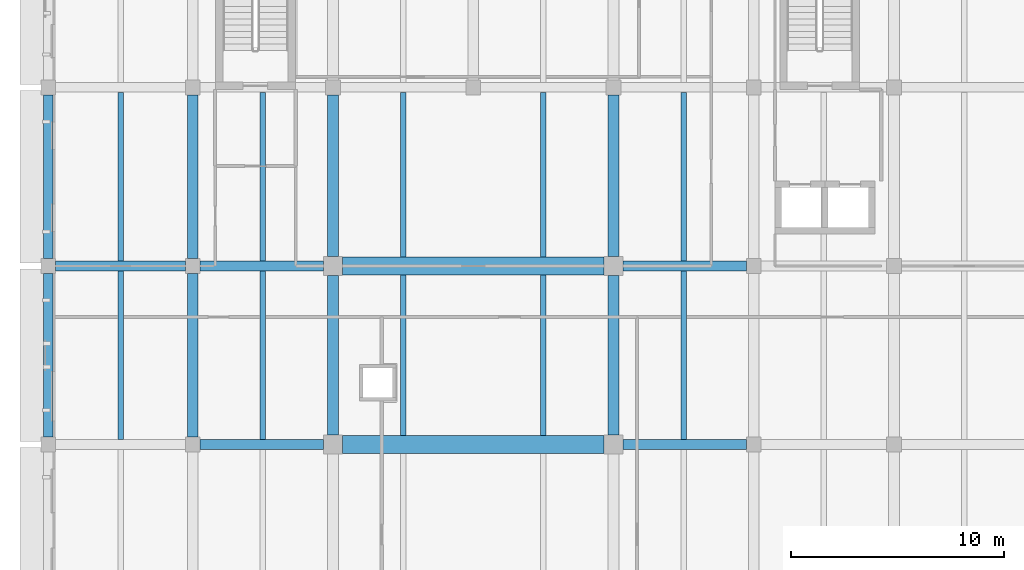
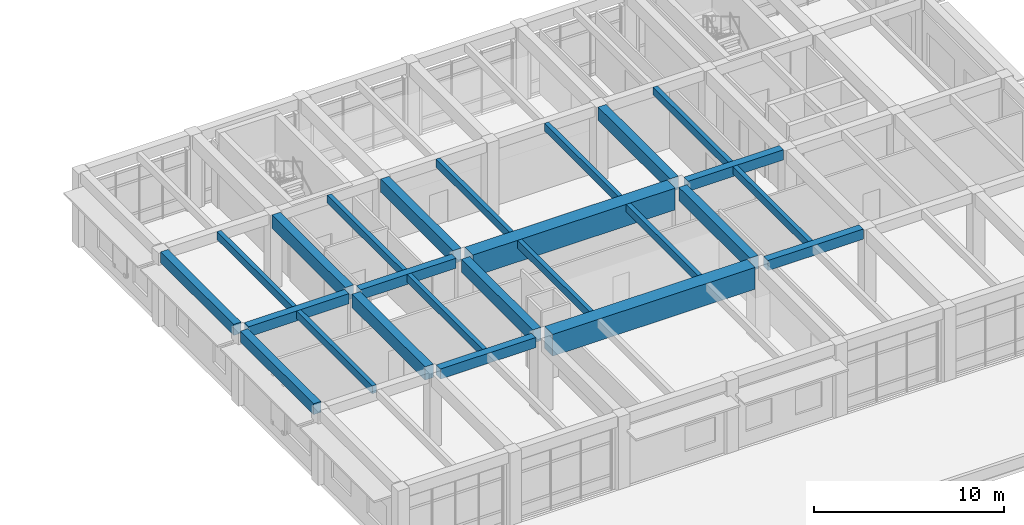
# One storey, part 7 of 75: 25 beams.
"""IFC4 building model written with IfcOpenShell, lengths in metres."""

import ifcopenshell
import ifcopenshell.guid

model = None  # the IFC model being written
_history = None  # IfcOwnerHistory: only IFC2X3 demands one
_inside = {}  # id of a spatial element -> (the spatial element, [elements in it])
_under = {}  # id of a project, library or spatial element -> (it, [spatial elements below it])
_declared = {}  # id of a project -> (the project, [libraries it declares])
_typed = {}  # id of a type object -> (the type object, [elements of that type])
_made_of = {}  # id of a material, layer set ... -> (it, [elements and type objects made of it])


def new_model(schema):
    """Start an empty IFC model of exactly this schema.

    Asked for "IFC4X3", IfcOpenShell would pick the latest addendum, in which some entities
    have other attributes; the version numbers below select the first issue.
    IFC2X3 requires an IfcOwnerHistory on every rooted entity: one is made here for all.
    """
    global model, _history
    if schema == "IFC4X3":
        model = ifcopenshell.file(schema_version=(4, 3, 0, 0))
    else:
        model = ifcopenshell.file(schema=schema)
    _inside.clear()
    _under.clear()
    _declared.clear()
    _typed.clear()
    _made_of.clear()
    _history = None
    if model.schema == "IFC2X3":
        org = make("IfcOrganization", Name="unknown")
        user = make(
            "IfcPersonAndOrganization",
            ThePerson=make("IfcPerson", FamilyName="unknown"),
            TheOrganization=org,
        )
        app = make(
            "IfcApplication",
            ApplicationDeveloper=org,
            Version="unknown",
            ApplicationFullName="unknown",
            ApplicationIdentifier="unknown",
        )
        _history = make(
            "IfcOwnerHistory",
            OwningUser=user,
            OwningApplication=app,
            ChangeAction="ADDED",
            CreationDate=0,
        )
    return model


def make(cls, **values):
    """One entity of the class cls with the attributes given. An attribute that is None is left unset."""
    return model.create_entity(
        cls, **{name: value for name, value in values.items() if value is not None}
    )


def rooted(cls, **values):
    """An entity with a GlobalId (a new one), such as an element, a storey or a relation."""
    return make(cls, GlobalId=ifcopenshell.guid.new(), OwnerHistory=_history, **values)


def si_unit(unit_type, name, prefix=None):
    """IfcSIUnit, for example si_unit("LENGTHUNIT", "METRE", prefix="MILLI")."""
    return make("IfcSIUnit", UnitType=unit_type, Prefix=prefix, Name=name)


def assignment(units):
    """IfcUnitAssignment: the units of a project."""
    return None if units is None else make("IfcUnitAssignment", Units=units)


def point(xyz):
    """IfcCartesianPoint."""
    return None if xyz is None else make("IfcCartesianPoint", Coordinates=xyz)


def direction(xyz):
    """IfcDirection."""
    return None if xyz is None else make("IfcDirection", DirectionRatios=xyz)


def frame(location, z_axis=None, x_axis=None):
    """IfcAxis2Placement3D, a coordinate frame: its origin and axes. An axis left out is left unset."""
    return make(
        "IfcAxis2Placement3D",
        Location=point(location),
        Axis=direction(z_axis),
        RefDirection=direction(x_axis),
    )


def frame_2d(location, x_axis=None):
    """IfcAxis2Placement2D, a coordinate frame in the plane: its origin and x axis."""
    return make(
        "IfcAxis2Placement2D", Location=point(location), RefDirection=direction(x_axis)
    )


def origin():
    """The frame at (0, 0, 0) with its axes left unset."""
    return frame((0.0, 0.0, 0.0))


def origin_2d():
    """The frame at (0, 0) in the plane with its x axis left unset."""
    return frame_2d((0.0, 0.0))


def place(relative_to, where):
    """IfcLocalPlacement: puts the frame where relative to a parent placement (None: the world)."""
    return make(
        "IfcLocalPlacement", PlacementRelTo=relative_to, RelativePlacement=where
    )


def context(
    kind, dimensions, precision=None, world=None, true_north=None, identifier=None
):
    """IfcGeometricRepresentationContext, for example the 3D "Model" context."""
    return make(
        "IfcGeometricRepresentationContext",
        ContextIdentifier=identifier,
        ContextType=kind,
        CoordinateSpaceDimension=dimensions,
        Precision=precision,
        WorldCoordinateSystem=world,
        TrueNorth=true_north,
    )


def subcontext(parent, identifier, kind, view, scale=None):
    """IfcGeometricRepresentationSubContext, for example "Body" below "Model"."""
    return make(
        "IfcGeometricRepresentationSubContext",
        ContextIdentifier=identifier,
        ContextType=kind,
        ParentContext=parent,
        TargetScale=scale,
        TargetView=view,
    )


def project(units=None, contexts=None):
    """IfcProject with its units and contexts."""
    return rooted(
        "IfcProject",
        Name="project",
        RepresentationContexts=contexts,
        UnitsInContext=assignment(units),
    )


def spatial(cls, under=None, at=None, **own):
    """A site, building, storey or space (cls), placed at a placement, below another one or the project."""
    s = rooted(cls, ObjectPlacement=at, **own)
    if under is not None:
        _under.setdefault(under.id(), (under, []))[1].append(s)
    return s


def profile(cls, at=None, kind="AREA", **sizes):
    """A parametric profile (cls). Its sizes go by their IFC names, for example OverallWidth=200.0."""
    return make(cls, ProfileType=kind, Position=at, **sizes)


def rectangle(**sizes):
    """IfcRectangleProfileDef."""
    return profile("IfcRectangleProfileDef", **sizes)


def extrude(swept, where, along, depth):
    """IfcExtrudedAreaSolid: the profile swept, set in the frame where, extruded along a direction by depth."""
    return make(
        "IfcExtrudedAreaSolid",
        SweptArea=swept,
        Position=where,
        ExtrudedDirection=direction(along),
        Depth=depth,
    )


def shape(context_of_items, identifier, shape_type, items):
    """IfcShapeRepresentation: the items that make up one representation, for example the "Body"."""
    return make(
        "IfcShapeRepresentation",
        ContextOfItems=context_of_items,
        RepresentationIdentifier=identifier,
        RepresentationType=shape_type,
        Items=items,
    )


def material(Name=None, Category=None):
    """IfcMaterial."""
    return make("IfcMaterial", Name=Name, Category=Category)


def material_profile(
    of_material, cross_section, Name=None, Category=None, Priority=None
):
    """IfcMaterialProfile: a cross section and its material."""
    return make(
        "IfcMaterialProfile",
        Name=Name,
        Material=of_material,
        Profile=cross_section,
        Priority=Priority,
        Category=Category,
    )


def profile_set(profiles, Name=None, composite=None):
    """IfcMaterialProfileSet."""
    return make(
        "IfcMaterialProfileSet",
        Name=Name,
        MaterialProfiles=profiles,
        CompositeProfile=composite,
    )


def made_of(thing, what):
    """Note that an element or type object is made of a material, layer set ...; save() writes the relation."""
    if what is not None:
        _made_of.setdefault(what.id(), (what, []))[1].append(thing)
    return thing


def type_object(cls, material=None, **own):
    """A type object (cls), such as IfcWallType, which elements share."""
    return made_of(rooted(cls, **own), material)


def element(
    cls,
    number,
    at=None,
    inside=None,
    cuts=None,
    type_object=None,
    material=None,
    context=None,
    identifier="Body",
    shape_type=None,
    held_by="IfcProductDefinitionShape",
    body=None,
    shapes=None,
    **own,
):
    """One element of the class cls, such as IfcWall. Its Tag is "e" and its number.

    at: its placement. inside: the storey or other place that contains it. cuts: it is an
    opening in that element (IfcRelVoidsElement). A single representation is given by context,
    identifier, shape_type and body (its items); several are given by shapes. held_by: the class
    of the entity that holds the representations. save() writes the other relations.
    """
    e = rooted(cls, Tag="e%d" % number, ObjectPlacement=at, **own)
    if body is not None:
        shapes = [shape(context, identifier, shape_type, body)]
    if shapes is not None:
        e.Representation = make(held_by, Representations=shapes)
    if inside is not None:
        _inside.setdefault(inside.id(), (inside, []))[1].append(e)
    if cuts is not None:
        rooted(
            "IfcRelVoidsElement", RelatingBuildingElement=cuts, RelatedOpeningElement=e
        )
    if type_object is not None:
        _typed.setdefault(type_object.id(), (type_object, []))[1].append(e)
    return made_of(e, material)


def aggregate(whole, parts):
    """IfcRelAggregates: a whole, such as a stair, and the parts it consists of."""
    return rooted("IfcRelAggregates", RelatingObject=whole, RelatedObjects=parts)


def save(model, path):
    """Write the relations noted so far, then the file.

    IfcRelAggregates (storeys below a building ...), IfcRelContainedInSpatialStructure (elements
    in a storey), IfcRelDefinesByType, IfcRelAssociatesMaterial and IfcRelDeclares: one each for
    every whole, place, type object, material and project.
    """
    for whole, parts in _under.values():
        aggregate(whole, parts)
    for where, things in _inside.values():
        rooted(
            "IfcRelContainedInSpatialStructure",
            RelatedElements=things,
            RelatingStructure=where,
        )
    for kind, things in _typed.values():
        rooted("IfcRelDefinesByType", RelatedObjects=things, RelatingType=kind)
    for what, things in _made_of.values():
        rooted("IfcRelAssociatesMaterial", RelatedObjects=things, RelatingMaterial=what)
    for by, libraries in _declared.values():
        rooted("IfcRelDeclares", RelatingContext=by, RelatedDefinitions=libraries)
    model.write(path)


model = new_model("IFC4")

# Units and contexts
model_context = context("Model", 3, precision=1e-05, world=origin(), true_north=direction((0.0, 1.0)))
body_context = subcontext(model_context, "Body", "Model", "MODEL_VIEW")
ifc_project = project(units=[si_unit("LENGTHUNIT", "METRE"), si_unit("AREAUNIT", "SQUARE_METRE"), si_unit("VOLUMEUNIT", "CUBIC_METRE"), si_unit("PLANEANGLEUNIT", "RADIAN"), si_unit("MASSUNIT", "GRAM", prefix="KILO")], contexts=[model_context])

# Site, building, storey
site_placement = place(None, origin())
site = spatial("IfcSite", under=ifc_project, at=site_placement, CompositionType="ELEMENT")
building_placement = place(site_placement, origin())
building = spatial("IfcBuilding", under=site, at=building_placement, Name="Kolvaren Faculty of Natural Sciences", CompositionType="ELEMENT")
storey_placement = place(building_placement, frame((0.0, 0.0, 5.39990234375)))
storey = spatial("IfcBuildingStorey", under=building, at=storey_placement, Name="L01", CompositionType="ELEMENT", Elevation=5.39990234375)

# Beams
ifc_material_1 = material(Name="Concrete C35/45", Category="concrete")
ifc_material_profile_1 = material_profile(ifc_material_1, rectangle(XDim=0.449951171875, YDim=0.64990234375, at=origin_2d()), Name="RC BM 450x650")
ifc_profile_set_1 = profile_set([ifc_material_profile_1], Name="Concrete C35/45")
beam_type_1 = type_object("IfcBeamType", Name="GridBeam_450x650", PredefinedType="BEAM", material=ifc_profile_set_1)
for number, where, z_axis, x_axis, name in (
    (1, (7.14990234375, 17.0, 4.47509765625), (1.0, 0.0, 0.0), (0.0, 1.0, 0.0), "L01 beam BM-65 on grid C"),
    (2, (27.050048828125, 17.0, 4.47509765625), (1.0, 0.0, 0.0), (0.0, 1.0, 0.0), "L01 beam BM-65 on grid C"),
):
    element("IfcBeam", number, at=place(storey_placement, frame(where, z_axis=z_axis, x_axis=x_axis)), inside=storey, type_object=beam_type_1, Name=name, PredefinedType="BEAM", context=body_context, shape_type="SweptSolid", body=[
        extrude(rectangle(XDim=0.449951171875, YDim=0.64990234375, at=origin_2d()), origin(), (0.0, 0.0, 1.0), 5.800048828125),
    ])
beam_1_placement = place(storey_placement, frame((0.35009765625, 25.39990234375, 4.47509765625), z_axis=(1.0, 0.0, 0.0), x_axis=(0.0, 1.0, 0.0)))
element("IfcBeam", 3, at=beam_1_placement, inside=storey, type_object=beam_type_1, Name="L01 beam BM-65 on grid D", PredefinedType="BEAM", context=body_context, shape_type="SweptSolid", body=[
    extrude(rectangle(XDim=0.449951171875, YDim=0.64990234375, at=origin_2d()), origin(), (0.0, 0.0, 1.0), 6.099853515625),
])
for number, where, z_axis, x_axis, name in (
    (4, (7.14990234375, 25.39990234375, 4.47509765625), (1.0, 0.0, 0.0), (0.0, 1.0, 0.0), "L01 beam BM-65 on grid D"),
    (5, (27.050048828125, 25.39990234375, 4.47509765625), (1.0, 0.0, 0.0), (0.0, 1.0, 0.0), "L01 beam BM-65 on grid D"),
):
    element("IfcBeam", number, at=place(storey_placement, frame(where, z_axis=z_axis, x_axis=x_axis)), inside=storey, type_object=beam_type_1, Name=name, PredefinedType="BEAM", context=body_context, shape_type="SweptSolid", body=[
        extrude(rectangle(XDim=0.449951171875, YDim=0.64990234375, at=origin_2d()), origin(), (0.0, 0.0, 1.0), 5.800048828125),
    ])
ifc_material_profile_2 = material_profile(ifc_material_1, rectangle(XDim=0.260009765625, YDim=0.5, at=origin_2d()), Name="RC JST 260x500")
ifc_profile_set_2 = profile_set([ifc_material_profile_2], Name="Concrete C35/45")
beam_type_2 = type_object("IfcBeamType", Name="LabRibJoist_260x500", PredefinedType="JOIST", material=ifc_profile_set_2)
for number, where, z_axis, x_axis, name in (
    (6, (3.39990234375, 17.22509765625, 4.550048828125), (0.0, 1.0, 0.0), (-1.0, 0.0, 0.0), "L01 ribbed laboratory slab joist JS-50"),
    (7, (3.39990234375, 25.625, 4.550048828125), (0.0, 1.0, 0.0), (-1.0, 0.0, 0.0), "L01 ribbed laboratory slab joist JS-50"),
    (8, (10.10009765625, 17.22509765625, 4.550048828125), (0.0, 1.0, 0.0), (-1.0, 0.0, 0.0), "L01 ribbed laboratory slab joist JS-50"),
    (9, (10.10009765625, 25.625, 4.550048828125), (0.0, 1.0, 0.0), (-1.0, 0.0, 0.0), "L01 ribbed laboratory slab joist JS-50"),
):
    element("IfcBeam", number, at=place(storey_placement, frame(where, z_axis=z_axis, x_axis=x_axis)), inside=storey, type_object=beam_type_2, Name=name, PredefinedType="JOIST", context=body_context, shape_type="SweptSolid", body=[
        extrude(rectangle(XDim=0.260009765625, YDim=0.5, at=origin_2d()), origin(), (0.0, 0.0, 1.0), 7.949951171875),
    ])
beam_2_placement = place(storey_placement, frame((16.699951171875, 17.425048828125, 4.550048828125), z_axis=(0.0, 1.0, 0.0), x_axis=(-1.0, 0.0, 0.0)))
element("IfcBeam", 10, at=beam_2_placement, inside=storey, type_object=beam_type_2, Name="L01 ribbed laboratory slab joist JS-50", PredefinedType="JOIST", context=body_context, shape_type="SweptSolid", body=[
    extrude(rectangle(XDim=0.260009765625, YDim=0.5, at=origin_2d()), origin(), (0.0, 0.0, 1.0), 7.550048828125),
])
beam_3_placement = place(storey_placement, frame((16.699951171875, 25.824951171875, 4.550048828125), z_axis=(0.0, 1.0, 0.0), x_axis=(-1.0, 0.0, 0.0)))
element("IfcBeam", 11, at=beam_3_placement, inside=storey, type_object=beam_type_2, Name="L01 ribbed laboratory slab joist JS-50", PredefinedType="JOIST", context=body_context, shape_type="SweptSolid", body=[
    extrude(rectangle(XDim=0.260009765625, YDim=0.5, at=origin_2d()), origin(), (0.0, 0.0, 1.0), 7.75),
])
beam_4_placement = place(storey_placement, frame((23.300048828125, 17.425048828125, 4.550048828125), z_axis=(0.0, 1.0, 0.0), x_axis=(-1.0, 0.0, 0.0)))
element("IfcBeam", 12, at=beam_4_placement, inside=storey, type_object=beam_type_2, Name="L01 ribbed laboratory slab joist JS-50", PredefinedType="JOIST", context=body_context, shape_type="SweptSolid", body=[
    extrude(rectangle(XDim=0.260009765625, YDim=0.5, at=origin_2d()), origin(), (0.0, 0.0, 1.0), 7.550048828125),
])
beam_5_placement = place(storey_placement, frame((23.300048828125, 25.824951171875, 4.550048828125), z_axis=(0.0, 1.0, 0.0), x_axis=(-1.0, 0.0, 0.0)))
element("IfcBeam", 13, at=beam_5_placement, inside=storey, type_object=beam_type_2, Name="L01 ribbed laboratory slab joist JS-50", PredefinedType="JOIST", context=body_context, shape_type="SweptSolid", body=[
    extrude(rectangle(XDim=0.260009765625, YDim=0.5, at=origin_2d()), origin(), (0.0, 0.0, 1.0), 7.75),
])
for number, where, z_axis, x_axis, name in (
    (14, (29.89990234375, 17.22509765625, 4.550048828125), (0.0, 1.0, 0.0), (-1.0, 0.0, 0.0), "L01 ribbed laboratory slab joist JS-50"),
    (15, (29.89990234375, 25.625, 4.550048828125), (0.0, 1.0, 0.0), (-1.0, 0.0, 0.0), "L01 ribbed laboratory slab joist JS-50"),
):
    element("IfcBeam", number, at=place(storey_placement, frame(where, z_axis=z_axis, x_axis=x_axis)), inside=storey, type_object=beam_type_2, Name=name, PredefinedType="JOIST", context=body_context, shape_type="SweptSolid", body=[
        extrude(rectangle(XDim=0.260009765625, YDim=0.5, at=origin_2d()), origin(), (0.0, 0.0, 1.0), 7.949951171875),
    ])
ifc_material_profile_3 = material_profile(ifc_material_1, rectangle(XDim=0.449951171875, YDim=0.699951171875, at=origin_2d()), Name="RC SP 450x700")
ifc_profile_set_3 = profile_set([ifc_material_profile_3], Name="Concrete C35/45")
beam_type_3 = type_object("IfcBeamType", Name="PerimeterSpandrel_450x700", PredefinedType="SPANDREL", material=ifc_profile_set_3)
for number, where, z_axis, x_axis, name in (
    (16, (0.0, 17.35009765625, 4.4501953125), (0.0, 1.0, 0.0), (-1.0, 0.0, 0.0), "L01 girder SP-70 on grid 1"),
    (17, (0.0, 25.75, 4.4501953125), (0.0, 1.0, 0.0), (-1.0, 0.0, 0.0), "L01 girder SP-70 on grid 1"),
):
    element("IfcBeam", number, at=place(storey_placement, frame(where, z_axis=z_axis, x_axis=x_axis)), inside=storey, type_object=beam_type_3, Name=name, PredefinedType="SPANDREL", context=body_context, shape_type="SweptSolid", body=[
        extrude(rectangle(XDim=0.449951171875, YDim=0.699951171875, at=origin_2d()), origin(), (0.0, 0.0, 1.0), 7.699951171875),
    ])
ifc_material_profile_4 = material_profile(ifc_material_1, rectangle(XDim=0.5, YDim=0.85009765625, at=origin_2d()), Name="RC BM 500x850")
ifc_profile_set_4 = profile_set([ifc_material_profile_4], Name="Concrete C35/45")
beam_type_4 = type_object("IfcBeamType", Name="PrimaryGirder_500x850", PredefinedType="BEAM", material=ifc_profile_set_4)
for number, where, z_axis, x_axis, name in (
    (18, (6.800048828125, 17.35009765625, 4.375), (0.0, 1.0, 0.0), (-1.0, 0.0, 0.0), "L01 girder BG-85 on grid 2"),
    (19, (6.800048828125, 25.75, 4.375), (0.0, 1.0, 0.0), (-1.0, 0.0, 0.0), "L01 girder BG-85 on grid 2"),
):
    element("IfcBeam", number, at=place(storey_placement, frame(where, z_axis=z_axis, x_axis=x_axis)), inside=storey, type_object=beam_type_4, Name=name, PredefinedType="BEAM", context=body_context, shape_type="SweptSolid", body=[
        extrude(rectangle(XDim=0.5, YDim=0.85009765625, at=origin_2d()), origin(), (0.0, 0.0, 1.0), 7.699951171875),
    ])
beam_6_placement = place(storey_placement, frame((13.39990234375, 17.449951171875, 4.375), z_axis=(0.0, 1.0, 0.0), x_axis=(-1.0, 0.0, 0.0)))
element("IfcBeam", 20, at=beam_6_placement, inside=storey, type_object=beam_type_4, Name="L01 girder BG-85 on grid 3", PredefinedType="BEAM", context=body_context, shape_type="SweptSolid", body=[
    extrude(rectangle(XDim=0.5, YDim=0.85009765625, at=origin_2d()), origin(), (0.0, 0.0, 1.0), 7.5),
])
beam_7_placement = place(storey_placement, frame((13.39990234375, 25.85009765625, 4.375), z_axis=(0.0, 1.0, 0.0), x_axis=(-1.0, 0.0, 0.0)))
element("IfcBeam", 21, at=beam_7_placement, inside=storey, type_object=beam_type_4, Name="L01 girder BG-85 on grid 3", PredefinedType="BEAM", context=body_context, shape_type="SweptSolid", body=[
    extrude(rectangle(XDim=0.5, YDim=0.85009765625, at=origin_2d()), origin(), (0.0, 0.0, 1.0), 7.599853515625),
])
beam_8_placement = place(storey_placement, frame((26.60009765625, 17.449951171875, 4.375), z_axis=(0.0, 1.0, 0.0), x_axis=(-1.0, 0.0, 0.0)))
element("IfcBeam", 22, at=beam_8_placement, inside=storey, type_object=beam_type_4, Name="L01 girder BG-85 on grid 5", PredefinedType="BEAM", context=body_context, shape_type="SweptSolid", body=[
    extrude(rectangle(XDim=0.5, YDim=0.85009765625, at=origin_2d()), origin(), (0.0, 0.0, 1.0), 7.5),
])
beam_9_placement = place(storey_placement, frame((26.60009765625, 25.85009765625, 4.375), z_axis=(0.0, 1.0, 0.0), x_axis=(-1.0, 0.0, 0.0)))
element("IfcBeam", 23, at=beam_9_placement, inside=storey, type_object=beam_type_4, Name="L01 girder BG-85 on grid 5", PredefinedType="BEAM", context=body_context, shape_type="SweptSolid", body=[
    extrude(rectangle(XDim=0.5, YDim=0.85009765625, at=origin_2d()), origin(), (0.0, 0.0, 1.0), 7.599853515625),
])
ifc_material_2 = material(Name="Concrete C40/50", Category="concrete")
ifc_material_profile_5 = material_profile(ifc_material_2, rectangle(XDim=0.85009765625, YDim=1.39990234375, at=origin_2d()), Name="RC TG 850x1400")
ifc_profile_set_5 = profile_set([ifc_material_profile_5], Name="Concrete C40/50")
beam_type_5 = type_object("IfcBeamType", Name="TransferGirder_850x1400", PredefinedType="BEAM", material=ifc_profile_set_5)
for number, where, z_axis, x_axis, name in (
    (24, (13.85009765625, 17.0, 4.10009765625), (1.0, 0.0, 0.0), (0.0, 1.0, 0.0), "L02 reinforced concrete transfer girder TG-1 TG-V4-W.1"),
    (25, (13.85009765625, 25.39990234375, 4.10009765625), (1.0, 0.0, 0.0), (0.0, 1.0, 0.0), "L02 reinforced concrete transfer girder TG-1 TG-V4-W.2"),
):
    element("IfcBeam", number, at=place(storey_placement, frame(where, z_axis=z_axis, x_axis=x_axis)), inside=storey, type_object=beam_type_5, Name=name, PredefinedType="BEAM", context=body_context, shape_type="SweptSolid", body=[
        extrude(rectangle(XDim=0.85009765625, YDim=1.39990234375, at=origin_2d()), origin(), (0.0, 0.0, 1.0), 12.2998046875),
    ])

save(model, "model.ifc")
